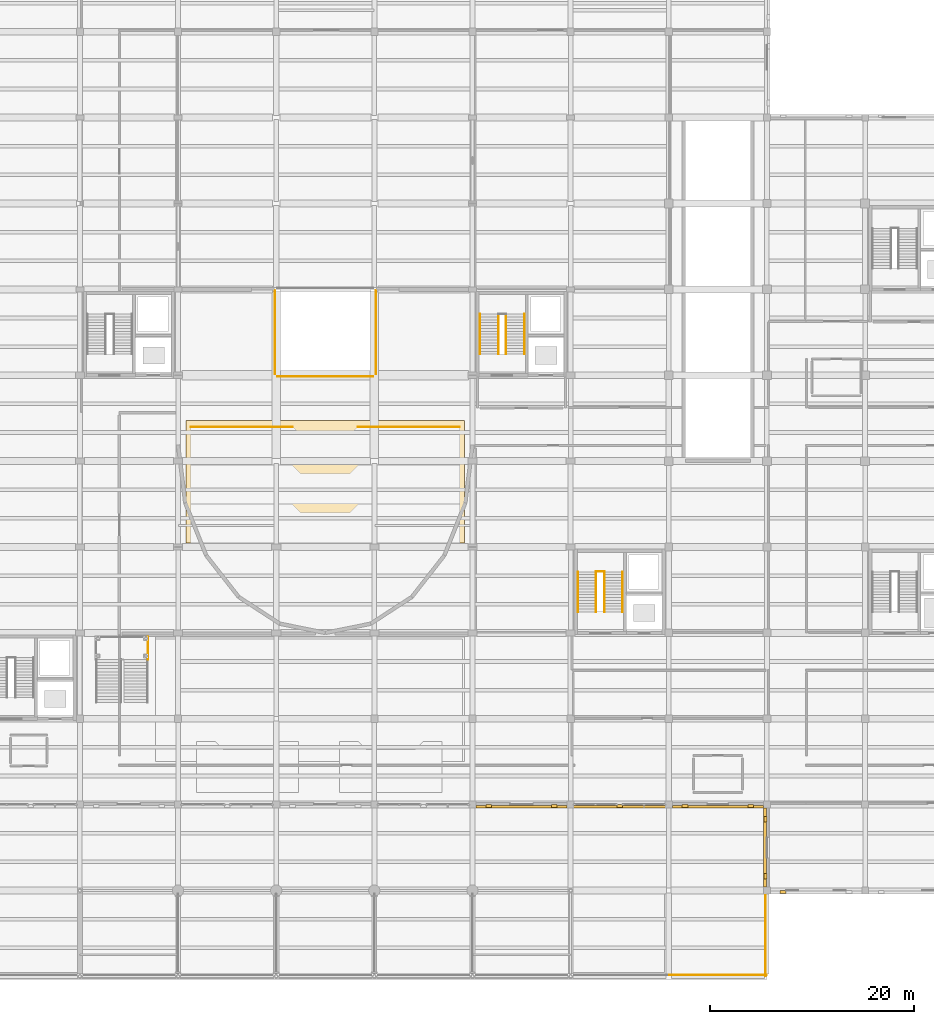
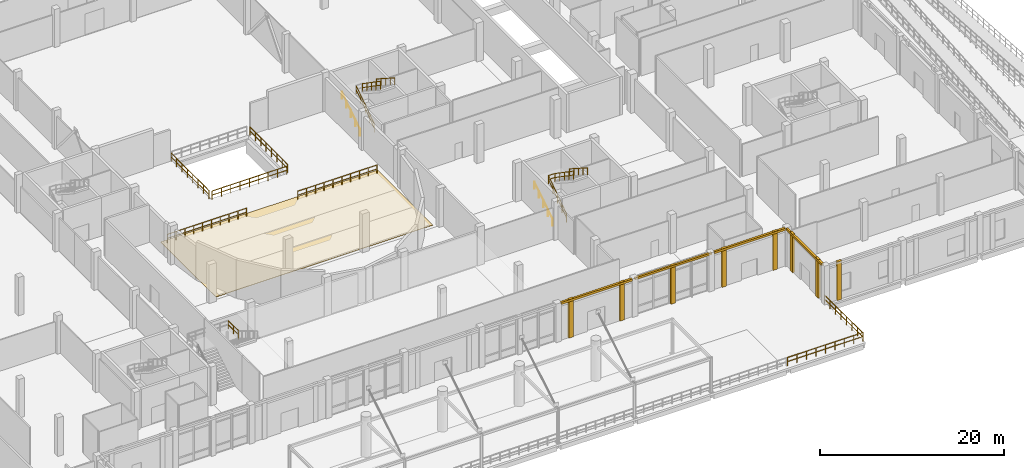
# One storey, part 64 of 71: 17 railings, 13 coverings.
"""IFC4 building model written with IfcOpenShell, lengths in metres."""

from ifc_helpers import new_model, si_unit, direction, frame, origin, origin_2d, place, context, subcontext, project, spatial, polyline, circle, outline, extrude, material, layer, layer_set, type_object, element, save


model = new_model("IFC4")

# Units and contexts
model_context = context("Model", 3, precision=1e-05, world=origin(), true_north=direction((0.0, 1.0)))
body_context = subcontext(model_context, "Body", "Model", "MODEL_VIEW")
ifc_project = project(units=[si_unit("LENGTHUNIT", "METRE"), si_unit("AREAUNIT", "SQUARE_METRE"), si_unit("VOLUMEUNIT", "CUBIC_METRE"), si_unit("PLANEANGLEUNIT", "RADIAN"), si_unit("MASSUNIT", "GRAM", prefix="KILO")], contexts=[model_context])

# Site, building, storey
site_placement = place(None, origin())
site = spatial("IfcSite", under=ifc_project, at=site_placement, CompositionType="ELEMENT")
building_placement = place(site_placement, origin())
building = spatial("IfcBuilding", under=site, at=building_placement, Name="Lornevale Opera House", CompositionType="ELEMENT")
storey_placement = place(building_placement, origin())
storey = spatial("IfcBuildingStorey", under=building, at=storey_placement, Name="L01", CompositionType="ELEMENT", Elevation=0.0)

# Railings
ifc_material_1 = material(Name="Structural Steel CSA G40.21 Grade 350W (350 MPa)", Category="steel")
ifc_layer_1 = layer(ifc_material_1, 0.06005859375)
ifc_layer_set_1 = layer_set([ifc_layer_1], Name="Structural Steel CSA G40.21 Grade 350W (350 MPa)")
railing_type_1 = type_object("IfcRailingType", Name="Atrium Acoustic Balustrade 1120", PredefinedType="BALUSTRADE", material=ifc_layer_set_1)
railing_1_placement = place(storey_placement, frame((64.25, 31.0, 2.699951171875)))
element("IfcRailing", 1, at=railing_1_placement, inside=storey, type_object=railing_type_1, Name="Grand Stair Landing Guard 0209", PredefinedType="BALUSTRADE", context=body_context, shape_type="SweptSolid", body=[
    extrude(circle(Radius=0.02392578125, at=origin_2d()), frame((0.0, 0.0, 1.09619140625), z_axis=(0.0, 1.0, 0.0), x_axis=(-1.0, 0.0, 0.0)), (0.0, 0.0, 1.0), 2.219970703125),
    extrude(circle(Radius=0.02392578125, at=origin_2d()), frame((0.0, 0.0, 0.56005859375), z_axis=(0.0, 1.0, 0.0), x_axis=(-1.0, 0.0, 0.0)), (0.0, 0.0, 1.0), 2.219970703125),
    extrude(circle(Radius=0.02099609375, at=origin_2d()), origin(), (0.0, 0.0, 1.0), 1.072021484375),
    extrude(circle(Radius=0.02099609375, at=origin_2d()), frame((0.0, 1.10986328125, 0.0)), (0.0, 0.0, 1.0), 1.072021484375),
    extrude(circle(Radius=0.02099609375, at=origin_2d()), frame((0.0, 2.219970703125, 0.0)), (0.0, 0.0, 1.0), 1.072021484375),
])
railing_2_placement = place(storey_placement, frame((76.659912109375, 58.919921875, 0.0)))
element("IfcRailing", 2, at=railing_2_placement, inside=storey, type_object=railing_type_1, Name="Atrium & Bowl Balustrade L01 0297", PredefinedType="BALUSTRADE", context=body_context, shape_type="SweptSolid", body=[
    extrude(circle(Radius=0.02392578125, at=origin_2d()), frame((0.0, 0.0, 1.09619140625), z_axis=(0.0, 1.0, 0.0), x_axis=(-1.0, 0.0, 0.0)), (0.0, 0.0, 1.0), 8.16015625),
    extrude(circle(Radius=0.02392578125, at=origin_2d()), frame((0.0, 0.0, 0.56005859375), z_axis=(0.0, 1.0, 0.0), x_axis=(-1.0, 0.0, 0.0)), (0.0, 0.0, 1.0), 8.16015625),
    extrude(circle(Radius=0.02099609375, at=origin_2d()), origin(), (0.0, 0.0, 1.0), 1.072021484375),
    extrude(circle(Radius=0.02099609375, at=origin_2d()), frame((0.0, 1.165771484375, 0.0)), (0.0, 0.0, 1.0), 1.072021484375),
    extrude(circle(Radius=0.02099609375, at=origin_2d()), frame((0.0, 2.33154296875, 0.0)), (0.0, 0.0, 1.0), 1.072021484375),
    extrude(circle(Radius=0.02099609375, at=origin_2d()), frame((0.0, 3.497314453125, 0.0)), (0.0, 0.0, 1.0), 1.072021484375),
    extrude(circle(Radius=0.02099609375, at=origin_2d()), frame((0.0, 4.662841796875, 0.0)), (0.0, 0.0, 1.0), 1.072021484375),
    extrude(circle(Radius=0.02099609375, at=origin_2d()), frame((0.0, 5.82861328125, 0.0)), (0.0, 0.0, 1.0), 1.072021484375),
    extrude(circle(Radius=0.02099609375, at=origin_2d()), frame((0.0, 6.994384765625, 0.0)), (0.0, 0.0, 1.0), 1.072021484375),
    extrude(circle(Radius=0.02099609375, at=origin_2d()), frame((0.0, 8.16015625, 0.0)), (0.0, 0.0, 1.0), 1.072021484375),
])
railing_3_placement = place(storey_placement, frame((76.919921875, 58.659912109375, 0.0)))
element("IfcRailing", 3, at=railing_3_placement, inside=storey, type_object=railing_type_1, Name="Atrium & Bowl Balustrade L01 0298", PredefinedType="BALUSTRADE", context=body_context, shape_type="SweptSolid", body=[
    extrude(circle(Radius=0.02392578125, at=origin_2d()), frame((0.0, 0.0, 1.09619140625), z_axis=(1.0, 0.0, 0.0), x_axis=(0.0, 1.0, 0.0)), (0.0, 0.0, 1.0), 9.360107421875),
    extrude(circle(Radius=0.02392578125, at=origin_2d()), frame((0.0, 0.0, 0.56005859375), z_axis=(1.0, 0.0, 0.0), x_axis=(0.0, 1.0, 0.0)), (0.0, 0.0, 1.0), 9.360107421875),
    extrude(circle(Radius=0.02099609375, at=origin_2d()), origin(), (0.0, 0.0, 1.0), 1.072021484375),
    extrude(circle(Radius=0.02099609375, at=origin_2d()), frame((1.169921875, 0.0, 0.0)), (0.0, 0.0, 1.0), 1.072021484375),
    extrude(circle(Radius=0.02099609375, at=origin_2d()), frame((2.340087890625, 0.0, 0.0)), (0.0, 0.0, 1.0), 1.072021484375),
    extrude(circle(Radius=0.02099609375, at=origin_2d()), frame((3.510009765625, 0.0, 0.0)), (0.0, 0.0, 1.0), 1.072021484375),
    extrude(circle(Radius=0.02099609375, at=origin_2d()), frame((4.68017578125, 0.0, 0.0)), (0.0, 0.0, 1.0), 1.072021484375),
    extrude(circle(Radius=0.02099609375, at=origin_2d()), frame((5.85009765625, 0.0, 0.0)), (0.0, 0.0, 1.0), 1.072021484375),
    extrude(circle(Radius=0.02099609375, at=origin_2d()), frame((7.02001953125, 0.0, 0.0)), (0.0, 0.0, 1.0), 1.072021484375),
    extrude(circle(Radius=0.02099609375, at=origin_2d()), frame((8.190185546875, 0.0, 0.0)), (0.0, 0.0, 1.0), 1.072021484375),
    extrude(circle(Radius=0.02099609375, at=origin_2d()), frame((9.360107421875, 0.0, 0.0)), (0.0, 0.0, 1.0), 1.072021484375),
])
railing_4_placement = place(storey_placement, frame((86.5400390625, 58.919921875, 0.0)))
element("IfcRailing", 4, at=railing_4_placement, inside=storey, type_object=railing_type_1, Name="Atrium & Bowl Balustrade L01 0300", PredefinedType="BALUSTRADE", context=body_context, shape_type="SweptSolid", body=[
    extrude(circle(Radius=0.02392578125, at=origin_2d()), frame((0.0, 0.0, 1.09619140625), z_axis=(0.0, 1.0, 0.0), x_axis=(-1.0, 0.0, 0.0)), (0.0, 0.0, 1.0), 8.16015625),
    extrude(circle(Radius=0.02392578125, at=origin_2d()), frame((0.0, 0.0, 0.56005859375), z_axis=(0.0, 1.0, 0.0), x_axis=(-1.0, 0.0, 0.0)), (0.0, 0.0, 1.0), 8.16015625),
    extrude(circle(Radius=0.02099609375, at=origin_2d()), origin(), (0.0, 0.0, 1.0), 1.072021484375),
    extrude(circle(Radius=0.02099609375, at=origin_2d()), frame((0.0, 1.165771484375, 0.0)), (0.0, 0.0, 1.0), 1.072021484375),
    extrude(circle(Radius=0.02099609375, at=origin_2d()), frame((0.0, 2.33154296875, 0.0)), (0.0, 0.0, 1.0), 1.072021484375),
    extrude(circle(Radius=0.02099609375, at=origin_2d()), frame((0.0, 3.497314453125, 0.0)), (0.0, 0.0, 1.0), 1.072021484375),
    extrude(circle(Radius=0.02099609375, at=origin_2d()), frame((0.0, 4.662841796875, 0.0)), (0.0, 0.0, 1.0), 1.072021484375),
    extrude(circle(Radius=0.02099609375, at=origin_2d()), frame((0.0, 5.82861328125, 0.0)), (0.0, 0.0, 1.0), 1.072021484375),
    extrude(circle(Radius=0.02099609375, at=origin_2d()), frame((0.0, 6.994384765625, 0.0)), (0.0, 0.0, 1.0), 1.072021484375),
    extrude(circle(Radius=0.02099609375, at=origin_2d()), frame((0.0, 8.16015625, 0.0)), (0.0, 0.0, 1.0), 1.072021484375),
])
for number, where, name in (
    (5, (68.449951171875, 53.719970703125, 0.2099609375), "Orchestra Stalls Front Guard L01 0301"),
    (6, (84.800048828125, 53.719970703125, 0.2099609375), "Orchestra Stalls Front Guard L01 0302"),
):
    element("IfcRailing", number, at=place(storey_placement, frame(where)), inside=storey, type_object=railing_type_1, Name=name, PredefinedType="BALUSTRADE", context=body_context, shape_type="SweptSolid", body=[
        extrude(circle(Radius=0.02392578125, at=origin_2d()), frame((0.0, 0.0, 1.09619140625), z_axis=(1.0, 0.0, 0.0), x_axis=(0.0, 1.0, 0.0)), (0.0, 0.0, 1.0), 9.949951171875),
        extrude(circle(Radius=0.02392578125, at=origin_2d()), frame((0.0, 0.0, 0.56005859375), z_axis=(1.0, 0.0, 0.0), x_axis=(0.0, 1.0, 0.0)), (0.0, 0.0, 1.0), 9.949951171875),
        extrude(circle(Radius=0.02099609375, at=origin_2d()), origin(), (0.0, 0.0, 1.0), 1.072021484375),
        extrude(circle(Radius=0.02099609375, at=origin_2d()), frame((1.10546875, 0.0, 0.0)), (0.0, 0.0, 1.0), 1.072021484375),
        extrude(circle(Radius=0.02099609375, at=origin_2d()), frame((2.211181640625, 0.0, 0.0)), (0.0, 0.0, 1.0), 1.072021484375),
        extrude(circle(Radius=0.02099609375, at=origin_2d()), frame((3.316650390625, 0.0, 0.0)), (0.0, 0.0, 1.0), 1.072021484375),
        extrude(circle(Radius=0.02099609375, at=origin_2d()), frame((4.422119140625, 0.0, 0.0)), (0.0, 0.0, 1.0), 1.072021484375),
        extrude(circle(Radius=0.02099609375, at=origin_2d()), frame((5.52783203125, 0.0, 0.0)), (0.0, 0.0, 1.0), 1.072021484375),
        extrude(circle(Radius=0.02099609375, at=origin_2d()), frame((6.63330078125, 0.0, 0.0)), (0.0, 0.0, 1.0), 1.072021484375),
        extrude(circle(Radius=0.02099609375, at=origin_2d()), frame((7.73876953125, 0.0, 0.0)), (0.0, 0.0, 1.0), 1.072021484375),
        extrude(circle(Radius=0.02099609375, at=origin_2d()), frame((8.844482421875, 0.0, 0.0)), (0.0, 0.0, 1.0), 1.072021484375),
        extrude(circle(Radius=0.02099609375, at=origin_2d()), frame((9.949951171875, 0.0, 0.0)), (0.0, 0.0, 1.0), 1.072021484375),
    ])

# Coverings
ifc_material_2 = material(Name="Precast Concrete 40 MPa (CSA A23.1 C-1)", Category="concrete")
ifc_layer_2 = layer(ifc_material_2, 0.260009765625)
ifc_layer_set_2 = layer_set([ifc_layer_2], Name="Precast Concrete 40 MPa (CSA A23.1 C-1)")
covering_type_1 = type_object("IfcCoveringType", Name="Postmodern Sandstone Pilaster Rib", PredefinedType="CLADDING", material=ifc_layer_set_2)
covering_1_placement = place(storey_placement, origin())
element("IfcCovering", 7, at=covering_1_placement, inside=storey, type_object=covering_type_1, Name="Postmodern Sandstone Pilaster 0116", PredefinedType="CLADDING", context=body_context, shape_type="SweptSolid", body=[
    extrude(outline(polyline([(104.283935546875, 16.800048828125), (103.72412109375, 16.800048828125), (103.72412109375, 16.52001953125), (104.283935546875, 16.52001953125), (104.283935546875, 16.800048828125)])), origin(), (0.0, 0.0, 1.0), 5.10009765625),
])
covering_2_placement = place(storey_placement, origin())
element("IfcCovering", 8, at=covering_2_placement, inside=storey, type_object=covering_type_1, Name="Postmodern Sandstone Pilaster 0117", PredefinedType="CLADDING", context=body_context, shape_type="SweptSolid", body=[
    extrude(outline(polyline([(97.8759765625, 16.800048828125), (97.31591796875, 16.800048828125), (97.31591796875, 16.52001953125), (97.8759765625, 16.52001953125), (97.8759765625, 16.800048828125)])), origin(), (0.0, 0.0, 1.0), 5.10009765625),
])
covering_3_placement = place(storey_placement, origin())
element("IfcCovering", 9, at=covering_3_placement, inside=storey, type_object=covering_type_1, Name="Postmodern Sandstone Mullion Pier 0120", PredefinedType="CLADDING", context=body_context, shape_type="SweptSolid", body=[
    extrude(outline(polyline([(110.679931640625, 16.800048828125), (110.1201171875, 16.800048828125), (110.1201171875, 16.52001953125), (110.679931640625, 16.52001953125), (110.679931640625, 16.800048828125)])), origin(), (0.0, 0.0, 1.0), 5.10009765625),
])
covering_4_placement = place(storey_placement, origin())
element("IfcCovering", 10, at=covering_4_placement, inside=storey, type_object=covering_type_1, Name="Postmodern Sandstone Pilaster 0125", PredefinedType="CLADDING", context=body_context, shape_type="SweptSolid", body=[
    extrude(outline(polyline([(123.48388671875, 16.800048828125), (122.924072265625, 16.800048828125), (122.924072265625, 16.52001953125), (123.48388671875, 16.52001953125), (123.48388671875, 16.800048828125)])), origin(), (0.0, 0.0, 1.0), 5.10009765625),
])
covering_5_placement = place(storey_placement, origin())
element("IfcCovering", 11, at=covering_5_placement, inside=storey, type_object=covering_type_1, Name="Postmodern Sandstone Pilaster 0126", PredefinedType="CLADDING", context=body_context, shape_type="SweptSolid", body=[
    extrude(outline(polyline([(117.075927734375, 16.800048828125), (116.51611328125, 16.800048828125), (116.51611328125, 16.52001953125), (117.075927734375, 16.52001953125), (117.075927734375, 16.800048828125)])), origin(), (0.0, 0.0, 1.0), 5.10009765625),
])
covering_6_placement = place(storey_placement, origin())
element("IfcCovering", 12, at=covering_6_placement, inside=storey, type_object=covering_type_1, Name="Postmodern Sandstone Pilaster 0141", PredefinedType="CLADDING", context=body_context, shape_type="SweptSolid", body=[
    extrude(outline(polyline([(126.657958984375, 8.39990234375), (126.097900390625, 8.39990234375), (126.097900390625, 8.1201171875), (126.657958984375, 8.1201171875), (126.657958984375, 8.39990234375)])), origin(), (0.0, 0.0, 1.0), 5.10009765625),
])
covering_7_placement = place(storey_placement, origin())
element("IfcCovering", 13, at=covering_7_placement, inside=storey, type_object=covering_type_1, Name="Postmodern Sandstone Pilaster 0143", PredefinedType="CLADDING", context=body_context, shape_type="SweptSolid", body=[
    extrude(outline(polyline([(124.800048828125, 9.52587890625), (124.800048828125, 10.0859375), (124.52001953125, 10.0859375), (124.52001953125, 9.52587890625), (124.800048828125, 9.52587890625)])), origin(), (0.0, 0.0, 1.0), 5.10009765625),
])
covering_8_placement = place(storey_placement, origin())
element("IfcCovering", 14, at=covering_8_placement, inside=storey, type_object=covering_type_1, Name="Postmodern Sandstone Pilaster 0144", PredefinedType="CLADDING", context=body_context, shape_type="SweptSolid", body=[
    extrude(outline(polyline([(124.800048828125, 15.087890625), (124.800048828125, 15.64794921875), (124.52001953125, 15.64794921875), (124.52001953125, 15.087890625), (124.800048828125, 15.087890625)])), origin(), (0.0, 0.0, 1.0), 5.10009765625),
])
ifc_material_3 = material(Name="Queenston Buff Limestone Ashlar Masonry (25 MPa)", Category="masonry")
ifc_layer_3 = layer(ifc_material_3, 0.1201171875)
ifc_layer_set_3 = layer_set([ifc_layer_3], Name="Queenston Buff Limestone Ashlar Masonry (25 MPa)")
covering_type_2 = type_object("IfcCoveringType", Name="Precast Limestone Cornice Band", PredefinedType="CLADDING", material=ifc_layer_set_3)
covering_9_placement = place(storey_placement, frame((0.0, 0.0, 4.820068359375)))
element("IfcCovering", 15, at=covering_9_placement, inside=storey, type_object=covering_type_2, Name="Precast Limestone Cornice Band 0118", PredefinedType="CLADDING", context=body_context, shape_type="SweptSolid", body=[
    extrude(outline(polyline([(105.25, 16.739990234375), (96.35009765625, 16.739990234375), (96.35009765625, 16.47998046875), (105.25, 16.47998046875), (105.25, 16.739990234375)])), origin(), (0.0, 0.0, 1.0), 0.280029296875),
])
covering_10_placement = place(storey_placement, frame((0.0, 0.0, 4.840087890625)))
element("IfcCovering", 16, at=covering_10_placement, inside=storey, type_object=covering_type_2, Name="Precast Limestone Cornice Band 0121", PredefinedType="CLADDING", context=body_context, shape_type="SweptSolid", body=[
    extrude(outline(polyline([(115.199951171875, 16.719970703125), (105.60009765625, 16.719970703125), (105.60009765625, 16.47998046875), (115.199951171875, 16.47998046875), (115.199951171875, 16.719970703125)])), origin(), (0.0, 0.0, 1.0), 0.260009765625),
])
covering_11_placement = place(storey_placement, frame((0.0, 0.0, 4.820068359375)))
element("IfcCovering", 17, at=covering_11_placement, inside=storey, type_object=covering_type_2, Name="Precast Limestone Cornice Band 0127", PredefinedType="CLADDING", context=body_context, shape_type="SweptSolid", body=[
    extrude(outline(polyline([(124.449951171875, 16.739990234375), (115.550048828125, 16.739990234375), (115.550048828125, 16.47998046875), (124.449951171875, 16.47998046875), (124.449951171875, 16.739990234375)])), origin(), (0.0, 0.0, 1.0), 0.280029296875),
])
covering_12_placement = place(storey_placement, frame((0.0, 0.0, 4.820068359375)))
element("IfcCovering", 18, at=covering_12_placement, inside=storey, type_object=covering_type_2, Name="Precast Limestone Cornice Band 0145", PredefinedType="CLADDING", context=body_context, shape_type="SweptSolid", body=[
    extrude(outline(polyline([(124.739990234375, 8.72509765625), (124.739990234375, 16.449951171875), (124.47998046875, 16.449951171875), (124.47998046875, 8.72509765625), (124.739990234375, 8.72509765625)])), origin(), (0.0, 0.0, 1.0), 0.280029296875),
])
ifc_material_4 = material(Name="Credit Valley Sandstone Ashlar Masonry (25 MPa)", Category="masonry")
ifc_layer_4 = layer(ifc_material_4, 0.054931640625)
ifc_layer_set_4 = layer_set([ifc_layer_4], Name="Credit Valley Sandstone Ashlar Masonry (25 MPa)")
covering_type_3 = type_object("IfcCoveringType", Name="Sandstone Forecourt Paving", PredefinedType="FLOORING", material=ifc_layer_set_4)
covering_13_placement = place(storey_placement, origin())
element("IfcCovering", 19, at=covering_13_placement, inside=storey, type_object=covering_type_3, Name="Architectural Stone & Timber Flooring 03", PredefinedType="FLOORING", context=body_context, shape_type="SweptSolid", body=[
    extrude(outline(polyline([(68.0, 42.39990234375), (95.199951171875, 42.39990234375), (95.199951171875, 54.39990234375), (68.0, 54.39990234375), (68.0, 42.39990234375)])), origin(), (0.0, 0.0, 1.0), 0.054931640625),
])

# Railings
ifc_layer_5 = layer(ifc_material_1, 0.050048828125)
ifc_layer_set_5 = layer_set([ifc_layer_5], Name="Structural Steel CSA G40.21 Grade 350W (350 MPa)")
railing_type_2 = type_object("IfcRailingType", Name="Stair Well Guardrail 1100", PredefinedType="GUARDRAIL", material=ifc_layer_set_5)
railing_5_placement = place(storey_placement, frame((108.080078125, 35.659912109375, 0.0)))
element("IfcRailing", 20, at=railing_5_placement, inside=storey, type_object=railing_type_2, Name="ST-06 Inner Well Guard F1", PredefinedType="GUARDRAIL", context=body_context, shape_type="SweptSolid", body=[
    extrude(circle(Radius=0.02392578125, at=origin_2d()), frame((0.0, 0.0, 1.076171875), z_axis=(0.0, 0.823567234665, 0.567218661528), x_axis=(-1.0, 0.0, 0.0)), (0.0, 0.0, 1.0), 4.760009765625),
    extrude(circle(Radius=0.02392578125, at=origin_2d()), frame((0.0, 0.0, 0.550048828125), z_axis=(0.0, 0.823567234665, 0.567218661528), x_axis=(-1.0, 0.0, 0.0)), (0.0, 0.0, 1.0), 4.760009765625),
    extrude(circle(Radius=0.02099609375, at=origin_2d()), origin(), (0.0, 0.0, 1.0), 1.052001953125),
    extrude(circle(Radius=0.02099609375, at=origin_2d()), frame((0.0, 0.97998046875, 0.675048828125)), (0.0, 0.0, 1.0), 1.052001953125),
    extrude(circle(Radius=0.02099609375, at=origin_2d()), frame((0.0, 1.9599609375, 1.35009765625)), (0.0, 0.0, 1.0), 1.052001953125),
    extrude(circle(Radius=0.02099609375, at=origin_2d()), frame((0.0, 2.940185546875, 2.02490234375)), (0.0, 0.0, 1.0), 1.052001953125),
    extrude(circle(Radius=0.02099609375, at=origin_2d()), frame((0.0, 3.920166015625, 2.699951171875)), (0.0, 0.0, 1.0), 1.052001953125),
])
railing_6_placement = place(storey_placement, frame((108.919921875, 39.580078125, 2.699951171875)))
element("IfcRailing", 21, at=railing_6_placement, inside=storey, type_object=railing_type_2, Name="ST-06 Inner Well Guard F2", PredefinedType="GUARDRAIL", context=body_context, shape_type="SweptSolid", body=[
    extrude(circle(Radius=0.02392578125, at=origin_2d()), frame((0.0, 0.0, 1.076171875), z_axis=(0.0, -0.823567234665, 0.567218661528), x_axis=(1.0, 0.0, 0.0)), (0.0, 0.0, 1.0), 4.760009765625),
    extrude(circle(Radius=0.02392578125, at=origin_2d()), frame((0.0, 0.0, 0.550048828125), z_axis=(0.0, -0.823567234665, 0.567218661528), x_axis=(1.0, 0.0, 0.0)), (0.0, 0.0, 1.0), 4.760009765625),
    extrude(circle(Radius=0.02099609375, at=origin_2d()), origin(), (0.0, 0.0, 1.0), 1.052001953125),
    extrude(circle(Radius=0.02099609375, at=origin_2d()), frame((0.0, -0.97998046875, 0.675048828125)), (0.0, 0.0, 1.0), 1.052001953125),
    extrude(circle(Radius=0.02099609375, at=origin_2d()), frame((0.0, -1.9599609375, 1.35009765625)), (0.0, 0.0, 1.0), 1.052001953125),
    extrude(circle(Radius=0.02099609375, at=origin_2d()), frame((0.0, -2.940185546875, 2.02490234375)), (0.0, 0.0, 1.0), 1.052001953125),
    extrude(circle(Radius=0.02099609375, at=origin_2d()), frame((0.0, -3.920166015625, 2.699951171875)), (0.0, 0.0, 1.0), 1.052001953125),
])
railing_7_placement = place(storey_placement, frame((108.080078125, 39.610107421875, 2.699951171875)))
element("IfcRailing", 22, at=railing_7_placement, inside=storey, type_object=railing_type_2, Name="ST-06 Half-Landing Slot Guard", PredefinedType="GUARDRAIL", context=body_context, shape_type="SweptSolid", body=[
    extrude(circle(Radius=0.02392578125, at=origin_2d()), frame((0.0, 0.0, 1.076171875), z_axis=(1.0, 0.0, 0.0), x_axis=(0.0, 1.0, 0.0)), (0.0, 0.0, 1.0), 0.83984375),
    extrude(circle(Radius=0.02392578125, at=origin_2d()), frame((0.0, 0.0, 0.550048828125), z_axis=(1.0, 0.0, 0.0), x_axis=(0.0, 1.0, 0.0)), (0.0, 0.0, 1.0), 0.83984375),
    extrude(circle(Radius=0.02099609375, at=origin_2d()), origin(), (0.0, 0.0, 1.0), 1.052001953125),
    extrude(circle(Radius=0.02099609375, at=origin_2d()), frame((0.83984375, 0.0, 0.0)), (0.0, 0.0, 1.0), 1.052001953125),
])
railing_8_placement = place(storey_placement, frame((98.52001953125, 60.860107421875, 0.0)))
element("IfcRailing", 23, at=railing_8_placement, inside=storey, type_object=railing_type_2, Name="ST-22 Inner Well Guard F1", PredefinedType="GUARDRAIL", context=body_context, shape_type="SweptSolid", body=[
    extrude(circle(Radius=0.02392578125, at=origin_2d()), frame((0.0, 0.0, 1.076171875), z_axis=(0.0, 0.823550731654, 0.567242622158), x_axis=(-1.0, 0.0, 0.0)), (0.0, 0.0, 1.0), 4.759765625),
    extrude(circle(Radius=0.02392578125, at=origin_2d()), frame((0.0, 0.0, 0.550048828125), z_axis=(0.0, 0.823550731654, 0.567242622158), x_axis=(-1.0, 0.0, 0.0)), (0.0, 0.0, 1.0), 4.759765625),
    extrude(circle(Radius=0.02099609375, at=origin_2d()), origin(), (0.0, 0.0, 1.0), 1.052001953125),
    extrude(circle(Radius=0.02099609375, at=origin_2d()), frame((0.0, 0.97998046875, 0.675048828125)), (0.0, 0.0, 1.0), 1.052001953125),
    extrude(circle(Radius=0.02099609375, at=origin_2d()), frame((0.0, 1.9599609375, 1.35009765625)), (0.0, 0.0, 1.0), 1.052001953125),
    extrude(circle(Radius=0.02099609375, at=origin_2d()), frame((0.0, 2.93994140625, 2.02490234375)), (0.0, 0.0, 1.0), 1.052001953125),
    extrude(circle(Radius=0.02099609375, at=origin_2d()), frame((0.0, 3.919921875, 2.699951171875)), (0.0, 0.0, 1.0), 1.052001953125),
])
railing_9_placement = place(storey_placement, frame((99.280029296875, 64.780029296875, 2.699951171875)))
element("IfcRailing", 24, at=railing_9_placement, inside=storey, type_object=railing_type_2, Name="ST-22 Inner Well Guard F2", PredefinedType="GUARDRAIL", context=body_context, shape_type="SweptSolid", body=[
    extrude(circle(Radius=0.02392578125, at=origin_2d()), frame((0.0, 0.0, 1.076171875), z_axis=(0.0, -0.823550731654, 0.567242622158), x_axis=(1.0, 0.0, 0.0)), (0.0, 0.0, 1.0), 4.759765625),
    extrude(circle(Radius=0.02392578125, at=origin_2d()), frame((0.0, 0.0, 0.550048828125), z_axis=(0.0, -0.823550731654, 0.567242622158), x_axis=(1.0, 0.0, 0.0)), (0.0, 0.0, 1.0), 4.759765625),
    extrude(circle(Radius=0.02099609375, at=origin_2d()), origin(), (0.0, 0.0, 1.0), 1.052001953125),
    extrude(circle(Radius=0.02099609375, at=origin_2d()), frame((0.0, -0.97998046875, 0.675048828125)), (0.0, 0.0, 1.0), 1.052001953125),
    extrude(circle(Radius=0.02099609375, at=origin_2d()), frame((0.0, -1.9599609375, 1.35009765625)), (0.0, 0.0, 1.0), 1.052001953125),
    extrude(circle(Radius=0.02099609375, at=origin_2d()), frame((0.0, -2.93994140625, 2.02490234375)), (0.0, 0.0, 1.0), 1.052001953125),
    extrude(circle(Radius=0.02099609375, at=origin_2d()), frame((0.0, -3.919921875, 2.699951171875)), (0.0, 0.0, 1.0), 1.052001953125),
])
ifc_layer_6 = layer(ifc_material_1, 0.06005859375)
ifc_layer_set_6 = layer_set([ifc_layer_6], Name="Structural Steel CSA G40.21 Grade 350W (350 MPa)")
railing_type_3 = type_object("IfcRailingType", Name="Terrace Tubular Guardrail 1120", PredefinedType="GUARDRAIL", material=ifc_layer_set_6)
railing_10_placement = place(storey_placement, frame((115.25, 0.139892578125, 0.0)))
element("IfcRailing", 25, at=railing_10_placement, inside=storey, type_object=railing_type_3, Name="Terrace Perimeter Guard L01 0281", PredefinedType="GUARDRAIL", context=body_context, shape_type="SweptSolid", body=[
    extrude(circle(Radius=0.02392578125, at=origin_2d()), frame((0.0, 0.0, 1.09619140625), z_axis=(1.0, 0.0, 0.0), x_axis=(0.0, 1.0, 0.0)), (0.0, 0.0, 1.0), 9.5),
    extrude(circle(Radius=0.02392578125, at=origin_2d()), frame((0.0, 0.0, 0.56005859375), z_axis=(1.0, 0.0, 0.0), x_axis=(0.0, 1.0, 0.0)), (0.0, 0.0, 1.0), 9.5),
    extrude(circle(Radius=0.02099609375, at=origin_2d()), origin(), (0.0, 0.0, 1.0), 1.072021484375),
    extrude(circle(Radius=0.02099609375, at=origin_2d()), frame((1.1875, 0.0, 0.0)), (0.0, 0.0, 1.0), 1.072021484375),
    extrude(circle(Radius=0.02099609375, at=origin_2d()), frame((2.375, 0.0, 0.0)), (0.0, 0.0, 1.0), 1.072021484375),
    extrude(circle(Radius=0.02099609375, at=origin_2d()), frame((3.5625, 0.0, 0.0)), (0.0, 0.0, 1.0), 1.072021484375),
    extrude(circle(Radius=0.02099609375, at=origin_2d()), frame((4.75, 0.0, 0.0)), (0.0, 0.0, 1.0), 1.072021484375),
    extrude(circle(Radius=0.02099609375, at=origin_2d()), frame((5.9375, 0.0, 0.0)), (0.0, 0.0, 1.0), 1.072021484375),
    extrude(circle(Radius=0.02099609375, at=origin_2d()), frame((7.125, 0.0, 0.0)), (0.0, 0.0, 1.0), 1.072021484375),
    extrude(circle(Radius=0.02099609375, at=origin_2d()), frame((8.3125, 0.0, 0.0)), (0.0, 0.0, 1.0), 1.072021484375),
    extrude(circle(Radius=0.02099609375, at=origin_2d()), frame((9.5, 0.0, 0.0)), (0.0, 0.0, 1.0), 1.072021484375),
])
railing_11_placement = place(storey_placement, frame((124.659912109375, 0.050048828125, 0.0)))
element("IfcRailing", 26, at=railing_11_placement, inside=storey, type_object=railing_type_3, Name="Terrace Perimeter Guard L01 0282", PredefinedType="GUARDRAIL", context=body_context, shape_type="SweptSolid", body=[
    extrude(circle(Radius=0.02392578125, at=origin_2d()), frame((0.0, 0.0, 1.09619140625), z_axis=(0.0, 1.0, 0.0), x_axis=(-1.0, 0.0, 0.0)), (0.0, 0.0, 1.0), 8.300048828125),
    extrude(circle(Radius=0.02392578125, at=origin_2d()), frame((0.0, 0.0, 0.56005859375), z_axis=(0.0, 1.0, 0.0), x_axis=(-1.0, 0.0, 0.0)), (0.0, 0.0, 1.0), 8.300048828125),
    extrude(circle(Radius=0.02099609375, at=origin_2d()), origin(), (0.0, 0.0, 1.0), 1.072021484375),
    extrude(circle(Radius=0.02099609375, at=origin_2d()), frame((0.0, 1.185791015625, 0.0)), (0.0, 0.0, 1.0), 1.072021484375),
    extrude(circle(Radius=0.02099609375, at=origin_2d()), frame((0.0, 2.371337890625, 0.0)), (0.0, 0.0, 1.0), 1.072021484375),
    extrude(circle(Radius=0.02099609375, at=origin_2d()), frame((0.0, 3.55712890625, 0.0)), (0.0, 0.0, 1.0), 1.072021484375),
    extrude(circle(Radius=0.02099609375, at=origin_2d()), frame((0.0, 4.742919921875, 0.0)), (0.0, 0.0, 1.0), 1.072021484375),
    extrude(circle(Radius=0.02099609375, at=origin_2d()), frame((0.0, 5.9287109375, 0.0)), (0.0, 0.0, 1.0), 1.072021484375),
    extrude(circle(Radius=0.02099609375, at=origin_2d()), frame((0.0, 7.1142578125, 0.0)), (0.0, 0.0, 1.0), 1.072021484375),
    extrude(circle(Radius=0.02099609375, at=origin_2d()), frame((0.0, 8.300048828125, 0.0)), (0.0, 0.0, 1.0), 1.072021484375),
])
ifc_layer_7 = layer(ifc_material_1, 0.048095703125)
ifc_layer_set_7 = layer_set([ifc_layer_7], Name="Structural Steel CSA G40.21 Grade 350W (350 MPa)")
railing_type_4 = type_object("IfcRailingType", Name="Tubular Stair Handrail 915", PredefinedType="HANDRAIL", material=ifc_layer_set_7)
railing_12_placement = place(storey_placement, frame((106.320068359375, 35.659912109375, 0.18310546875)))
element("IfcRailing", 27, at=railing_12_placement, inside=storey, type_object=railing_type_4, Name="ST-06 Outer Handrail F1", PredefinedType="HANDRAIL", context=body_context, shape_type="SweptSolid", body=[
    extrude(circle(Radius=0.02392578125, at=origin_2d()), frame((0.0, 0.0, 0.89111328125), z_axis=(0.0, 0.841210815121, 0.540707281738), x_axis=(-1.0, 0.0, 0.0)), (0.0, 0.0, 1.0), 4.66015625),
    extrude(circle(Radius=0.02099609375, at=origin_2d()), origin(), (0.0, 0.0, 1.0), 0.866943359375),
    extrude(circle(Radius=0.02099609375, at=origin_2d()), frame((0.0, 0.97998046875, 0.6298828125)), (0.0, 0.0, 1.0), 0.866943359375),
    extrude(circle(Radius=0.02099609375, at=origin_2d()), frame((0.0, 1.9599609375, 1.259765625)), (0.0, 0.0, 1.0), 0.866943359375),
    extrude(circle(Radius=0.02099609375, at=origin_2d()), frame((0.0, 2.940185546875, 1.889892578125)), (0.0, 0.0, 1.0), 0.866943359375),
    extrude(circle(Radius=0.02099609375, at=origin_2d()), frame((0.0, 3.920166015625, 2.519775390625)), (0.0, 0.0, 1.0), 0.866943359375),
])
railing_13_placement = place(storey_placement, frame((110.679931640625, 39.580078125, 2.883056640625)))
element("IfcRailing", 28, at=railing_13_placement, inside=storey, type_object=railing_type_4, Name="ST-06 Outer Handrail F2", PredefinedType="HANDRAIL", context=body_context, shape_type="SweptSolid", body=[
    extrude(circle(Radius=0.02392578125, at=origin_2d()), frame((0.0, 0.0, 0.89111328125), z_axis=(0.0, -0.841186985886, 0.540744352514), x_axis=(1.0, 0.0, 0.0)), (0.0, 0.0, 1.0), 4.660400390625),
    extrude(circle(Radius=0.02099609375, at=origin_2d()), origin(), (0.0, 0.0, 1.0), 0.866943359375),
    extrude(circle(Radius=0.02099609375, at=origin_2d()), frame((0.0, -0.97998046875, 0.6298828125)), (0.0, 0.0, 1.0), 0.866943359375),
    extrude(circle(Radius=0.02099609375, at=origin_2d()), frame((0.0, -1.9599609375, 1.260009765625)), (0.0, 0.0, 1.0), 0.866943359375),
    extrude(circle(Radius=0.02099609375, at=origin_2d()), frame((0.0, -2.940185546875, 1.89013671875)), (0.0, 0.0, 1.0), 0.866943359375),
    extrude(circle(Radius=0.02099609375, at=origin_2d()), frame((0.0, -3.920166015625, 2.52001953125)), (0.0, 0.0, 1.0), 0.866943359375),
])
railing_14_placement = place(storey_placement, frame((96.719970703125, 60.860107421875, 0.18310546875)))
element("IfcRailing", 29, at=railing_14_placement, inside=storey, type_object=railing_type_4, Name="ST-22 Outer Handrail F1", PredefinedType="HANDRAIL", context=body_context, shape_type="SweptSolid", body=[
    extrude(circle(Radius=0.02392578125, at=origin_2d()), frame((0.0, 0.0, 0.89111328125), z_axis=(0.0, 0.84119549742, 0.540731111663), x_axis=(-1.0, 0.0, 0.0)), (0.0, 0.0, 1.0), 4.659912109375),
    extrude(circle(Radius=0.02099609375, at=origin_2d()), origin(), (0.0, 0.0, 1.0), 0.866943359375),
    extrude(circle(Radius=0.02099609375, at=origin_2d()), frame((0.0, 0.97998046875, 0.6298828125)), (0.0, 0.0, 1.0), 0.866943359375),
    extrude(circle(Radius=0.02099609375, at=origin_2d()), frame((0.0, 1.9599609375, 1.259765625)), (0.0, 0.0, 1.0), 0.866943359375),
    extrude(circle(Radius=0.02099609375, at=origin_2d()), frame((0.0, 2.93994140625, 1.889892578125)), (0.0, 0.0, 1.0), 0.866943359375),
    extrude(circle(Radius=0.02099609375, at=origin_2d()), frame((0.0, 3.919921875, 2.519775390625)), (0.0, 0.0, 1.0), 0.866943359375),
])
railing_15_placement = place(storey_placement, frame((101.080078125, 64.780029296875, 2.883056640625)))
element("IfcRailing", 30, at=railing_15_placement, inside=storey, type_object=railing_type_4, Name="ST-22 Outer Handrail F2", PredefinedType="HANDRAIL", context=body_context, shape_type="SweptSolid", body=[
    extrude(circle(Radius=0.02392578125, at=origin_2d()), frame((0.0, 0.0, 0.89111328125), z_axis=(0.0, -0.841171666519, 0.540768182723), x_axis=(1.0, 0.0, 0.0)), (0.0, 0.0, 1.0), 4.66015625),
    extrude(circle(Radius=0.02099609375, at=origin_2d()), origin(), (0.0, 0.0, 1.0), 0.866943359375),
    extrude(circle(Radius=0.02099609375, at=origin_2d()), frame((0.0, -0.97998046875, 0.6298828125)), (0.0, 0.0, 1.0), 0.866943359375),
    extrude(circle(Radius=0.02099609375, at=origin_2d()), frame((0.0, -1.9599609375, 1.260009765625)), (0.0, 0.0, 1.0), 0.866943359375),
    extrude(circle(Radius=0.02099609375, at=origin_2d()), frame((0.0, -2.93994140625, 1.89013671875)), (0.0, 0.0, 1.0), 0.866943359375),
    extrude(circle(Radius=0.02099609375, at=origin_2d()), frame((0.0, -3.919921875, 2.52001953125)), (0.0, 0.0, 1.0), 0.866943359375),
])

save(model, "model.ifc")
